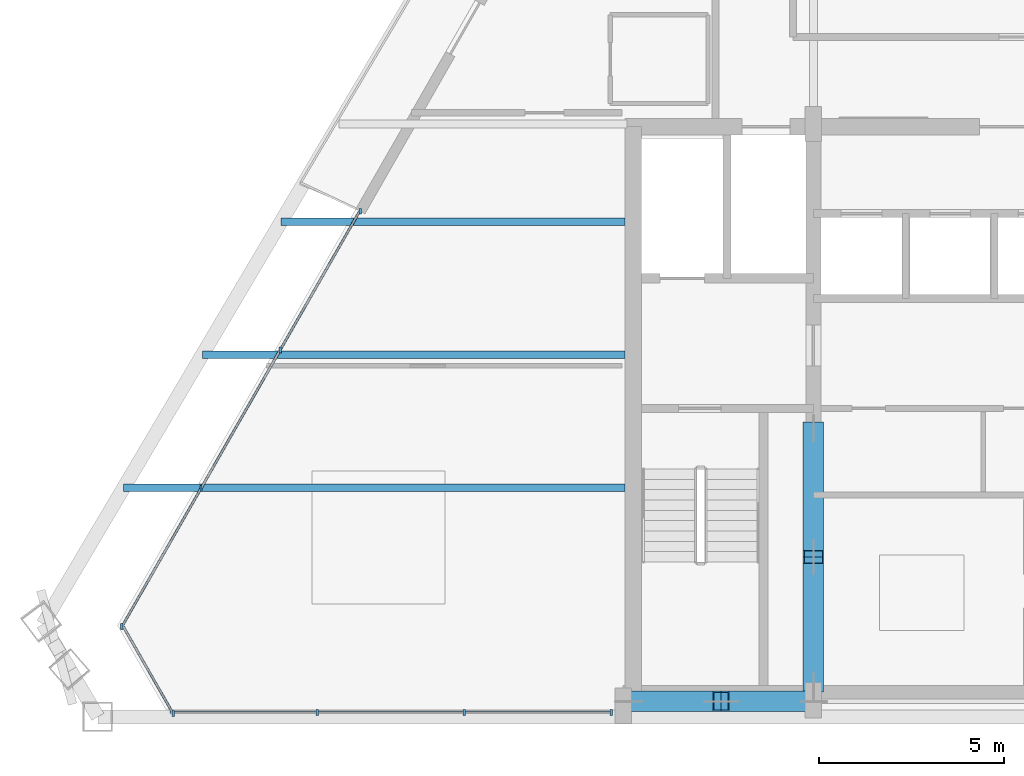
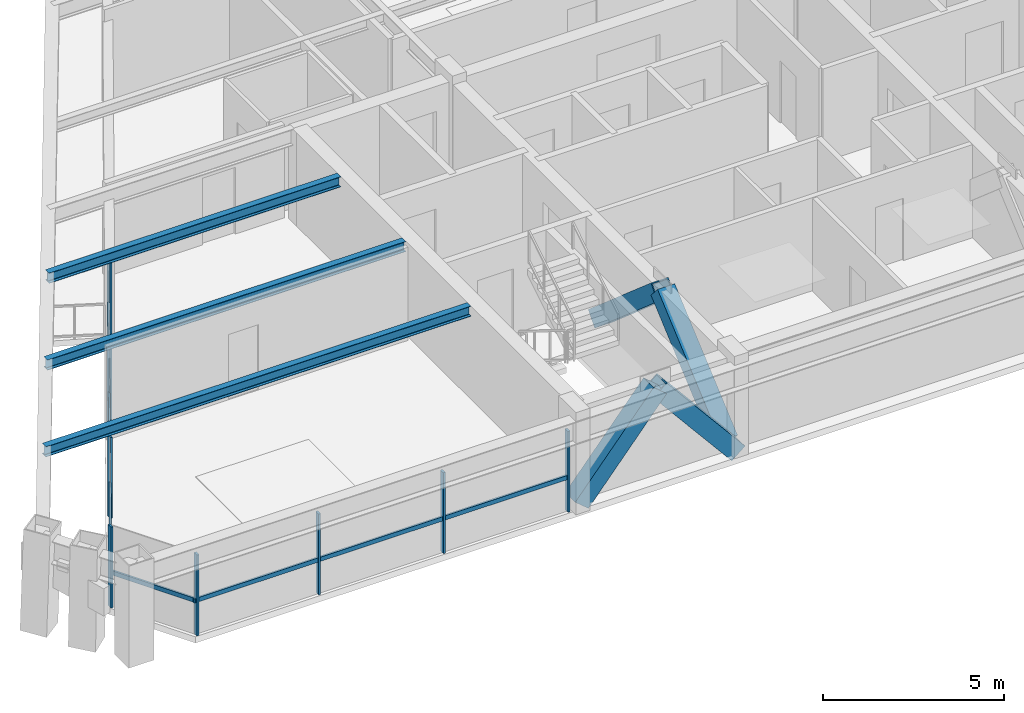
# One storey, part 2 of 13: 19 members, 3 beams, 3 elements without a shape of their own.
"""IFC4 building model written with IfcOpenShell, lengths in metres."""

from ifc_helpers import new_model, si_unit, direction, frame, origin, origin_2d, place, context, subcontext, project, spatial, rectangle, hollow_rectangle, i_section, extrude, source, transform, mapped, material, material_profile, profile_set, type_object, element, aggregate, save


model = new_model("IFC4")

# Units and contexts
model_context = context("Model", 3, precision=1e-05, world=origin(), true_north=direction((0.0, 1.0)))
body_context = subcontext(model_context, "Body", "Model", "MODEL_VIEW")
ifc_project = project(units=[si_unit("LENGTHUNIT", "METRE"), si_unit("AREAUNIT", "SQUARE_METRE"), si_unit("VOLUMEUNIT", "CUBIC_METRE"), si_unit("PLANEANGLEUNIT", "RADIAN"), si_unit("MASSUNIT", "GRAM", prefix="KILO")], contexts=[model_context])

# Site, building, storey
site_placement = place(None, origin())
site = spatial("IfcSite", under=ifc_project, at=site_placement, CompositionType="ELEMENT")
building_placement = place(site_placement, origin())
building = spatial("IfcBuilding", under=site, at=building_placement, Name="Varnakhor Terracotta Tower", CompositionType="ELEMENT")
storey_placement = place(building_placement, frame((0.0, 0.0, 300.60009765625)))
storey = spatial("IfcBuildingStorey", under=building, at=storey_placement, Name="L79", CompositionType="ELEMENT", Elevation=300.60009765625)

# Members
ifc_material_1 = material(Name="Steel S355", Category="steel")
ifc_material_profile_1 = material_profile(ifc_material_1, hollow_rectangle(XDim=0.550048828125, YDim=0.550048828125, WallThickness=0.034912109375, at=origin_2d()), Name="HSS550X550X35")
ifc_profile_set_1 = profile_set([ifc_material_profile_1], Name="Steel S355")
member_type_1 = type_object("IfcMemberType", Name="MBR-MEGA-550", PredefinedType="BRACE", material=ifc_profile_set_1)
shared_shape_1 = source(origin(), body_context, "Body", "SweptSolid", [
    extrude(hollow_rectangle(XDim=0.550048828125, YDim=0.550048828125, WallThickness=0.034912109375, at=origin_2d()), origin(), (0.0, 0.0, 1.0), 3.905029296875),
])
for number, where, z_axis, x_axis, name in (
    (1, (-10.5, 0.419921875, 0.0), (0.640184399664, 0.0, 0.768221279597), (0.0, 1.0, 0.0), "L79 Core Coupled Brace CSWA"),
    (2, (-5.5, 0.419921875, 0.0), (-0.640184399664, 0.0, 0.768221279597), (0.0, -1.0, 0.0), "L79 Core Coupled Brace CSWB"),
):
    element("IfcMember", number, at=place(storey_placement, frame(where, z_axis=z_axis, x_axis=x_axis)), inside=storey, type_object=member_type_1, Name=name, PredefinedType="BRACE", context=body_context, shape_type="MappedRepresentation", body=[
        mapped(shared_shape_1, transform((0.0, 0.0, 0.0), scale=1.0)),
    ])
shared_shape_2 = source(origin(), body_context, "Body", "SweptSolid", [
    extrude(hollow_rectangle(XDim=0.550048828125, YDim=0.550048828125, WallThickness=0.034912109375, at=origin_2d()), origin(), (0.0, 0.0, 1.0), 4.5908203125),
])
for number, where, z_axis, x_axis, name in (
    (3, (-5.5, 0.85009765625, 0.0), (0.0, 0.756931814743, 0.653493862121), (-1.0, 0.0, 0.0), "L79 Core Coupled Brace CWWA"),
    (4, (-5.5, 7.800048828125, 0.0), (0.0, -0.756954524742, 0.653467556557), (1.0, 0.0, 0.0), "L79 Core Coupled Brace CWWB"),
):
    element("IfcMember", number, at=place(storey_placement, frame(where, z_axis=z_axis, x_axis=x_axis)), inside=storey, type_object=member_type_1, Name=name, PredefinedType="BRACE", context=body_context, shape_type="MappedRepresentation", body=[
        mapped(shared_shape_2, transform((0.0, 0.0, 0.0), scale=1.0)),
    ])

# Beams
ifc_material_profile_2 = material_profile(ifc_material_1, i_section(OverallWidth=0.202880859375, OverallDepth=0.346923828125, WebThickness=0.0078125, FlangeThickness=0.013427734375, FilletRadius=0.01806640625, at=origin_2d()), Name="W14X43")
ifc_profile_set_2 = profile_set([ifc_material_profile_2], Name="Steel S355")
beam_type = type_object("IfcBeamType", Name="JST-W14X43", PredefinedType="JOIST", material=ifc_profile_set_2)
shared_shape_3 = source(origin(), body_context, "Body", "SweptSolid", [
    extrude(i_section(OverallWidth=0.202880859375, OverallDepth=0.346923828125, WebThickness=0.0078125, FlangeThickness=0.013427734375, FilletRadius=0.01806640625, at=origin_2d()), origin(), (0.0, 0.0, 1.0), 13.5673828125),
])
beam_1_placement = place(storey_placement, frame((-24.16748046875, 6.199951171875, 2.976318359375), z_axis=(1.0, 0.0, 0.0), x_axis=(0.0, 1.0, 0.0)))
element("IfcBeam", 5, at=beam_1_placement, inside=storey, type_object=beam_type, Name="L79 Floor Joist W1", PredefinedType="JOIST", context=body_context, shape_type="MappedRepresentation", body=[
    mapped(shared_shape_3, transform((0.0, 0.0, 0.0), scale=1.0)),
])
shared_shape_4 = source(origin(), body_context, "Body", "SweptSolid", [
    extrude(i_section(OverallWidth=0.202880859375, OverallDepth=0.346923828125, WebThickness=0.0078125, FlangeThickness=0.013427734375, FilletRadius=0.01806640625, at=origin_2d()), origin(), (0.0, 0.0, 1.0), 11.43798828125),
])
beam_2_placement = place(storey_placement, frame((-22.0380859375, 9.800048828125, 2.976318359375), z_axis=(1.0, 0.0, 0.0), x_axis=(0.0, 1.0, 0.0)))
element("IfcBeam", 6, at=beam_2_placement, inside=storey, type_object=beam_type, Name="L79 Floor Joist W2", PredefinedType="JOIST", context=body_context, shape_type="MappedRepresentation", body=[
    mapped(shared_shape_4, transform((0.0, 0.0, 0.0), scale=1.0)),
])
shared_shape_5 = source(origin(), body_context, "Body", "SweptSolid", [
    extrude(i_section(OverallWidth=0.202880859375, OverallDepth=0.346923828125, WebThickness=0.0078125, FlangeThickness=0.013427734375, FilletRadius=0.01806640625, at=origin_2d()), origin(), (0.0, 0.0, 1.0), 9.30859375),
])
beam_3_placement = place(storey_placement, frame((-19.90869140625, 13.39990234375, 2.976318359375), z_axis=(1.0, 0.0, 0.0), x_axis=(0.0, 1.0, 0.0)))
element("IfcBeam", 7, at=beam_3_placement, inside=storey, type_object=beam_type, Name="L79 Floor Joist W3", PredefinedType="JOIST", context=body_context, shape_type="MappedRepresentation", body=[
    mapped(shared_shape_5, transform((0.0, 0.0, 0.0), scale=1.0)),
])

# Curtain wall, members
ifc_material_2 = material(Name="Anodised Aluminium Curtain Wall System", Category="aluminium")
curtain_wall_type = type_object("IfcCurtainWallType", Name="CW-SYS-HOTEL-LOGGIA", PredefinedType="NOTDEFINED", material=ifc_material_2)
curtain_wall_1_placement = place(storey_placement, origin())
curtain_wall_1 = element("IfcCurtainWall", 8, at=curtain_wall_1_placement, inside=storey, type_object=curtain_wall_type, Name="L79 W Facet Curtain Wall 1", PredefinedType="NOTDEFINED")
ifc_material_3 = material(Name="Anodised Aluminium 6063-T6", Category="aluminium")
ifc_material_profile_3 = material_profile(ifc_material_3, rectangle(XDim=0.06494140625, YDim=0.159912109375, at=origin_2d()), Name="ALU MULLION 65x160")
ifc_profile_set_3 = profile_set([ifc_material_profile_3], Name="Anodised Aluminium 6063-T6")
member_type_2 = type_object("IfcMemberType", Name="CWM-04", PredefinedType="MULLION", material=ifc_profile_set_3)
shared_shape_6 = source(origin(), body_context, "Body", "SweptSolid", [
    extrude(rectangle(XDim=0.06494140625, YDim=0.159912109375, at=origin_2d()), origin(), (0.0, 0.0, 1.0), 2.72998046875),
])
member_1_placement = place(storey_placement, frame((-24.214599609375, 2.44140625, 0.0), z_axis=(0.0, 0.0, 1.0), x_axis=(1.0, 0.0, 0.0)))
member_1 = element("IfcMember", 9, at=member_1_placement, type_object=member_type_2, Name="L79 W Facet Curtain Wall 1 Mullion 1", PredefinedType="MULLION", context=body_context, shape_type="MappedRepresentation", body=[
    mapped(shared_shape_6, transform((0.0, 0.0, 0.0), scale=1.0)),
])
member_2_placement = place(storey_placement, frame((-22.07373046875, 6.18310546875, 0.0), z_axis=(0.0, 0.0, 1.0), x_axis=(1.0, 0.0, 0.0)))
member_2 = element("IfcMember", 10, at=member_2_placement, type_object=member_type_2, Name="L79 W Facet Curtain Wall 1 Mullion 2", PredefinedType="MULLION", context=body_context, shape_type="MappedRepresentation", body=[
    mapped(shared_shape_6, transform((0.0, 0.0, 0.0), scale=1.0)),
])
member_3_placement = place(storey_placement, frame((-19.9326171875, 9.9248046875, 0.0), z_axis=(0.0, 0.0, 1.0), x_axis=(1.0, 0.0, 0.0)))
member_3 = element("IfcMember", 11, at=member_3_placement, type_object=member_type_2, Name="L79 W Facet Curtain Wall 1 Mullion 3", PredefinedType="MULLION", context=body_context, shape_type="MappedRepresentation", body=[
    mapped(shared_shape_6, transform((0.0, 0.0, 0.0), scale=1.0)),
])
member_4_placement = place(storey_placement, frame((-17.75927734375, 13.6826171875, 0.0), z_axis=(0.0, 0.0, 1.0), x_axis=(1.0, 0.0, 0.0)))
member_4 = element("IfcMember", 12, at=member_4_placement, type_object=member_type_2, Name="L79 W Loggia Jamb Closure Mullion 1", PredefinedType="MULLION", context=body_context, shape_type="MappedRepresentation", body=[
    mapped(shared_shape_6, transform((0.0, 0.0, 0.0), scale=1.0)),
])

curtain_wall_2_placement = place(storey_placement, origin())
curtain_wall_2 = element("IfcCurtainWall", 13, at=curtain_wall_2_placement, inside=storey, type_object=curtain_wall_type, Name="L79 South Wing Curtain Wall SSW", PredefinedType="NOTDEFINED")
member_5_placement = place(storey_placement, frame((-10.969970703125, 0.1201171875, 0.0), z_axis=(0.0, 0.0, 1.0), x_axis=(1.0, 0.0, 0.0)))
member_5 = element("IfcMember", 14, at=member_5_placement, type_object=member_type_2, Name="L79 South Wing Curtain Wall SSW Mullion 1", PredefinedType="MULLION", context=body_context, shape_type="MappedRepresentation", body=[
    mapped(shared_shape_6, transform((0.0, 0.0, 0.0), scale=1.0)),
])
member_6_placement = place(storey_placement, frame((-14.94921875, 0.1201171875, 0.0), z_axis=(0.0, 0.0, 1.0), x_axis=(1.0, 0.0, 0.0)))
member_6 = element("IfcMember", 15, at=member_6_placement, type_object=member_type_2, Name="L79 South Wing Curtain Wall SSW Mullion 2", PredefinedType="MULLION", context=body_context, shape_type="MappedRepresentation", body=[
    mapped(shared_shape_6, transform((0.0, 0.0, 0.0), scale=1.0)),
])
member_7_placement = place(storey_placement, frame((-18.92822265625, 0.1201171875, 0.0), z_axis=(0.0, 0.0, 1.0), x_axis=(1.0, 0.0, 0.0)))
member_7 = element("IfcMember", 16, at=member_7_placement, type_object=member_type_2, Name="L79 South Wing Curtain Wall SSW Mullion 3", PredefinedType="MULLION", context=body_context, shape_type="MappedRepresentation", body=[
    mapped(shared_shape_6, transform((0.0, 0.0, 0.0), scale=1.0)),
])

# Curtain wall, member
curtain_wall_3_placement = place(storey_placement, origin())
curtain_wall_3 = element("IfcCurtainWall", 17, at=curtain_wall_3_placement, inside=storey, type_object=curtain_wall_type, Name="L79 Facet Curtain Wall 6", PredefinedType="NOTDEFINED")
member_8_placement = place(storey_placement, frame((-22.828125, 0.085693359375, 0.0), z_axis=(0.0, 0.0, 1.0), x_axis=(1.0, 0.0, 0.0)))
member_8 = element("IfcMember", 18, at=member_8_placement, type_object=member_type_2, Name="L79 Facet Curtain Wall 6 Mullion 1", PredefinedType="MULLION", context=body_context, shape_type="MappedRepresentation", body=[
    mapped(shared_shape_6, transform((0.0, 0.0, 0.0), scale=1.0)),
])

# Member
ifc_material_profile_4 = material_profile(ifc_material_3, rectangle(XDim=0.06494140625, YDim=0.14501953125, at=origin_2d()), Name="ALU TRANSOM 65x145")
ifc_profile_set_4 = profile_set([ifc_material_profile_4], Name="Anodised Aluminium 6063-T6")
member_type_3 = type_object("IfcMemberType", Name="CWT-04", PredefinedType="USERDEFINED", material=ifc_profile_set_4)
shared_shape_7 = source(origin(), body_context, "Body", "SweptSolid", [
    extrude(rectangle(XDim=0.06494140625, YDim=0.14501953125, at=origin_2d()), origin(), (0.0, 0.0, 1.0), 4.310791015625),
])
member_9_placement = place(storey_placement, frame((-24.214599609375, 2.44140625, 1.146484375), z_axis=(0.496620683831, 0.867967681651, 0.0), x_axis=(-0.867967681651, 0.496620683831, 0.0)))
member_9 = element("IfcMember", 19, at=member_9_placement, type_object=member_type_3, Name="L79 W Facet Curtain Wall 1 Transom 1", ObjectType="TRANSOM", PredefinedType="USERDEFINED", context=body_context, shape_type="MappedRepresentation", body=[
    mapped(shared_shape_7, transform((0.0, 0.0, 0.0), scale=1.0)),
])

shared_shape_8 = source(origin(), body_context, "Body", "SweptSolid", [
    extrude(rectangle(XDim=0.06494140625, YDim=0.14501953125, at=origin_2d()), origin(), (0.0, 0.0, 1.0), 4.31103515625),
])
member_10_placement = place(storey_placement, frame((-22.07373046875, 6.18310546875, 1.146484375), z_axis=(0.496663348023, 0.867943269304, 0.0), x_axis=(-0.867943269304, 0.496663348023, 0.0)))
member_10 = element("IfcMember", 20, at=member_10_placement, type_object=member_type_3, Name="L79 W Facet Curtain Wall 1 Transom 2", ObjectType="TRANSOM", PredefinedType="USERDEFINED", context=body_context, shape_type="MappedRepresentation", body=[
    mapped(shared_shape_8, transform((0.0, 0.0, 0.0), scale=1.0)),
])

member_11_placement = place(storey_placement, frame((-19.9326171875, 9.9248046875, 1.146484375), z_axis=(0.496663348023, 0.867943269304, 0.0), x_axis=(-0.867943269304, 0.496663348023, 0.0)))
member_11 = element("IfcMember", 21, at=member_11_placement, type_object=member_type_3, Name="L79 W Facet Curtain Wall 1 Transom 3", ObjectType="TRANSOM", PredefinedType="USERDEFINED", context=body_context, shape_type="MappedRepresentation", body=[
    mapped(shared_shape_8, transform((0.0, 0.0, 0.0), scale=1.0)),
])

aggregate(curtain_wall_1, [member_1, member_9, member_2, member_10, member_3, member_11, member_4])

shared_shape_9 = source(origin(), body_context, "Body", "SweptSolid", [
    extrude(rectangle(XDim=0.06494140625, YDim=0.14501953125, at=origin_2d()), origin(), (0.0, 0.0, 1.0), 3.979248046875),
])
member_12_placement = place(storey_placement, frame((-10.969970703125, 0.1201171875, 1.146484375), z_axis=(-1.0, 0.0, 0.0), x_axis=(0.0, -1.0, 0.0)))
member_12 = element("IfcMember", 22, at=member_12_placement, type_object=member_type_3, Name="L79 South Wing Curtain Wall SSW Transom 1", ObjectType="TRANSOM", PredefinedType="USERDEFINED", context=body_context, shape_type="MappedRepresentation", body=[
    mapped(shared_shape_9, transform((0.0, 0.0, 0.0), scale=1.0)),
])

member_13_placement = place(storey_placement, frame((-18.92822265625, 0.1201171875, 1.146484375), z_axis=(-1.0, 0.0, 0.0), x_axis=(0.0, -1.0, 0.0)))
member_13 = element("IfcMember", 23, at=member_13_placement, type_object=member_type_3, Name="L79 South Wing Curtain Wall SSW Transom 3", ObjectType="TRANSOM", PredefinedType="USERDEFINED", context=body_context, shape_type="MappedRepresentation", body=[
    mapped(shared_shape_9, transform((0.0, 0.0, 0.0), scale=1.0)),
])

shared_shape_10 = source(origin(), body_context, "Body", "SweptSolid", [
    extrude(rectangle(XDim=0.06494140625, YDim=0.14501953125, at=origin_2d()), origin(), (0.0, 0.0, 1.0), 3.97900390625),
])
member_14_placement = place(storey_placement, frame((-14.94921875, 0.1201171875, 1.146484375), z_axis=(-1.0, 0.0, 0.0), x_axis=(0.0, -1.0, 0.0)))
member_14 = element("IfcMember", 24, at=member_14_placement, type_object=member_type_3, Name="L79 South Wing Curtain Wall SSW Transom 2", ObjectType="TRANSOM", PredefinedType="USERDEFINED", context=body_context, shape_type="MappedRepresentation", body=[
    mapped(shared_shape_10, transform((0.0, 0.0, 0.0), scale=1.0)),
])

aggregate(curtain_wall_2, [member_5, member_12, member_6, member_14, member_7, member_13])

shared_shape_11 = source(origin(), body_context, "Body", "SweptSolid", [
    extrude(rectangle(XDim=0.06494140625, YDim=0.14501953125, at=origin_2d()), origin(), (0.0, 0.0, 1.0), 2.79150390625),
])
member_15_placement = place(storey_placement, frame((-22.828125, 0.085693359375, 1.146484375), z_axis=(-0.496675702942, 0.86793619933, 0.0), x_axis=(-0.86793619933, -0.496675702942, 0.0)))
member_15 = element("IfcMember", 25, at=member_15_placement, type_object=member_type_3, Name="L79 Facet Curtain Wall 6 Transom 1", ObjectType="TRANSOM", PredefinedType="USERDEFINED", context=body_context, shape_type="MappedRepresentation", body=[
    mapped(shared_shape_11, transform((0.0, 0.0, 0.0), scale=1.0)),
])

aggregate(curtain_wall_3, [member_8, member_15])

save(model, "model.ifc")
